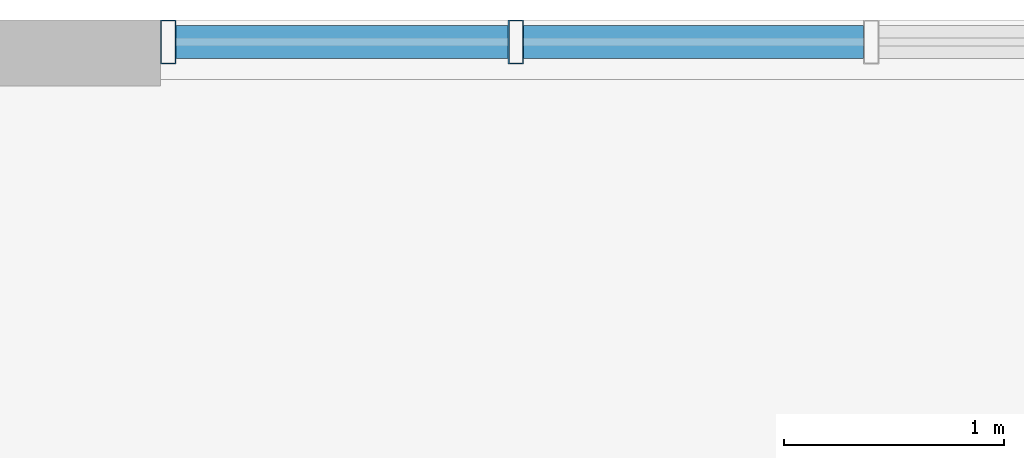
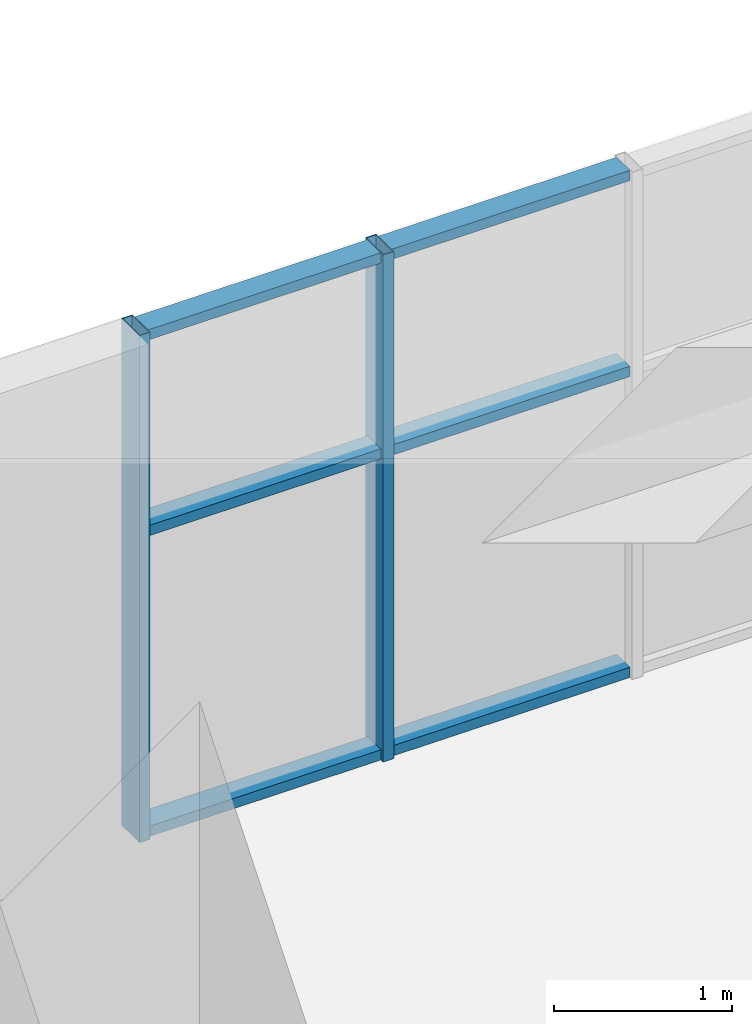
# One storey, part 8 of 24: 8 members, 1 element without a shape of its own.
"""IFC4 building model written with IfcOpenShell, lengths in metres."""

from ifc_helpers import new_model, si_unit, direction, frame, origin, origin_2d, place, context, subcontext, project, spatial, hollow_rectangle, extrude, source, transform, mapped, material, layer, layer_set, material_profile, profile_set, type_object, element, aggregate, save


model = new_model("IFC4")

# Units and contexts
model_context = context("Model", 3, precision=1e-05, world=origin(), true_north=direction((0.0, 1.0)))
body_context = subcontext(model_context, "Body", "Model", "MODEL_VIEW")
ifc_project = project(units=[si_unit("LENGTHUNIT", "METRE"), si_unit("AREAUNIT", "SQUARE_METRE"), si_unit("VOLUMEUNIT", "CUBIC_METRE"), si_unit("PLANEANGLEUNIT", "RADIAN"), si_unit("MASSUNIT", "GRAM", prefix="KILO")], contexts=[model_context])

# Site, building, storey
site_placement = place(None, origin())
site = spatial("IfcSite", under=ifc_project, at=site_placement, CompositionType="ELEMENT")
building_placement = place(site_placement, origin())
building = spatial("IfcBuilding", under=site, at=building_placement, Name="Saelheon Loggia Tower", CompositionType="ELEMENT")
storey_placement = place(building_placement, origin())
storey = spatial("IfcBuildingStorey", under=building, at=storey_placement, Name="L00", CompositionType="ELEMENT", Elevation=0.0)

# Curtain wall, members
ifc_material_1 = material(Name="Aluminium 6063-T6 and Laminated Low-E Glass", Category="aluminium")
ifc_layer = layer(ifc_material_1, 0.199951171875)
ifc_layer_set = layer_set([ifc_layer], Name="Aluminium 6063-T6 and Laminated Low-E Glass")
curtain_wall_type = type_object("IfcCurtainWallType", Name="CW_PodiumEntry", PredefinedType="NOTDEFINED", material=ifc_layer_set)
curtain_wall_placement = place(storey_placement, origin())
curtain_wall = element("IfcCurtainWall", 1, at=curtain_wall_placement, inside=storey, type_object=curtain_wall_type, Name="L00 Resident Lobby Curtain Wall 1", PredefinedType="NOTDEFINED")
ifc_material_2 = material(Name="Anodised Aluminium 6063-T6", Category="aluminium")
ifc_material_profile_1 = material_profile(ifc_material_2, hollow_rectangle(XDim=0.070068359375, YDim=0.199951171875, WallThickness=0.0048828125, at=origin_2d()), Name="RHS-200x70x5")
ifc_profile_set_1 = profile_set([ifc_material_profile_1], Name="Anodised Aluminium 6063-T6")
member_type_1 = type_object("IfcMemberType", Name="CW_PodiumEntry_Mullion", PredefinedType="MULLION", material=ifc_profile_set_1)
shared_shape_1 = source(origin(), body_context, "Body", "SweptSolid", [
    extrude(hollow_rectangle(XDim=0.070068359375, YDim=0.199951171875, WallThickness=0.0048828125, at=origin_2d()), origin(), (0.0, 0.0, 1.0), 3.47998046875),
])
member_1_placement = place(storey_placement, frame((26.034912109375, 53.89990234375, 0.0), z_axis=(0.0, 0.0, 1.0), x_axis=(1.0, 0.0, 0.0)))
member_1 = element("IfcMember", 2, at=member_1_placement, type_object=member_type_1, Name="CW2 mullion 1", PredefinedType="MULLION", context=body_context, shape_type="MappedRepresentation", body=[
    mapped(shared_shape_1, transform((0.0, 0.0, 0.0), scale=1.0)),
])
member_2_placement = place(storey_placement, frame((27.61669921875, 53.89990234375, 0.0), z_axis=(0.0, 0.0, 1.0), x_axis=(1.0, 0.0, 0.0)))
member_2 = element("IfcMember", 3, at=member_2_placement, type_object=member_type_1, Name="CW2 mullion 2", PredefinedType="MULLION", context=body_context, shape_type="MappedRepresentation", body=[
    mapped(shared_shape_1, transform((0.0, 0.0, 0.0), scale=1.0)),
])
ifc_material_profile_2 = material_profile(ifc_material_2, hollow_rectangle(XDim=0.070068359375, YDim=0.14990234375, WallThickness=0.0048828125, at=origin_2d()), Name="RHS-150x70x5")
ifc_profile_set_2 = profile_set([ifc_material_profile_2], Name="Anodised Aluminium 6063-T6")
member_type_2 = type_object("IfcMemberType", Name="CW_PodiumEntry_Transom", PredefinedType="USERDEFINED", material=ifc_profile_set_2)
shared_shape_2 = source(origin(), body_context, "Body", "SweptSolid", [
    extrude(hollow_rectangle(XDim=0.070068359375, YDim=0.14990234375, WallThickness=0.0048828125, at=origin_2d()), origin(), (0.0, 0.0, 1.0), 1.51171875),
])
member_3_placement = place(storey_placement, frame((26.070068359375, 53.89990234375, 0.034912109375), z_axis=(1.0, 0.0, 0.0), x_axis=(0.0, 0.0, 1.0)))
member_3 = element("IfcMember", 4, at=member_3_placement, type_object=member_type_2, Name="CW2 transom 1.1", ObjectType="TRANSOM", PredefinedType="USERDEFINED", context=body_context, shape_type="MappedRepresentation", body=[
    mapped(shared_shape_2, transform((0.0, 0.0, 0.0), scale=1.0)),
])
member_4_placement = place(storey_placement, frame((26.070068359375, 53.89990234375, 2.10009765625), z_axis=(1.0, 0.0, 0.0), x_axis=(0.0, 0.0, 1.0)))
member_4 = element("IfcMember", 5, at=member_4_placement, type_object=member_type_2, Name="CW2 transom 1.2", ObjectType="TRANSOM", PredefinedType="USERDEFINED", context=body_context, shape_type="MappedRepresentation", body=[
    mapped(shared_shape_2, transform((0.0, 0.0, 0.0), scale=1.0)),
])
member_5_placement = place(storey_placement, frame((26.070068359375, 53.89990234375, 3.445068359375), z_axis=(1.0, 0.0, 0.0), x_axis=(0.0, 0.0, 1.0)))
member_5 = element("IfcMember", 6, at=member_5_placement, type_object=member_type_2, Name="CW2 transom 1.3", ObjectType="TRANSOM", PredefinedType="USERDEFINED", context=body_context, shape_type="MappedRepresentation", body=[
    mapped(shared_shape_2, transform((0.0, 0.0, 0.0), scale=1.0)),
])
shared_shape_3 = source(origin(), body_context, "Body", "SweptSolid", [
    extrude(hollow_rectangle(XDim=0.070068359375, YDim=0.14990234375, WallThickness=0.0048828125, at=origin_2d()), origin(), (0.0, 0.0, 1.0), 1.546630859375),
])
member_6_placement = place(storey_placement, frame((27.651611328125, 53.89990234375, 0.034912109375), z_axis=(1.0, 0.0, 0.0), x_axis=(0.0, 0.0, 1.0)))
member_6 = element("IfcMember", 7, at=member_6_placement, type_object=member_type_2, Name="CW2 transom 2.1", ObjectType="TRANSOM", PredefinedType="USERDEFINED", context=body_context, shape_type="MappedRepresentation", body=[
    mapped(shared_shape_3, transform((0.0, 0.0, 0.0), scale=1.0)),
])
member_7_placement = place(storey_placement, frame((27.651611328125, 53.89990234375, 2.10009765625), z_axis=(1.0, 0.0, 0.0), x_axis=(0.0, 0.0, 1.0)))
member_7 = element("IfcMember", 8, at=member_7_placement, type_object=member_type_2, Name="CW2 transom 2.2", ObjectType="TRANSOM", PredefinedType="USERDEFINED", context=body_context, shape_type="MappedRepresentation", body=[
    mapped(shared_shape_3, transform((0.0, 0.0, 0.0), scale=1.0)),
])
member_8_placement = place(storey_placement, frame((27.651611328125, 53.89990234375, 3.445068359375), z_axis=(1.0, 0.0, 0.0), x_axis=(0.0, 0.0, 1.0)))
member_8 = element("IfcMember", 9, at=member_8_placement, type_object=member_type_2, Name="CW2 transom 2.3", ObjectType="TRANSOM", PredefinedType="USERDEFINED", context=body_context, shape_type="MappedRepresentation", body=[
    mapped(shared_shape_3, transform((0.0, 0.0, 0.0), scale=1.0)),
])
aggregate(curtain_wall, [member_1, member_2, member_3, member_4, member_5, member_6, member_7, member_8])

save(model, "model.ifc")
